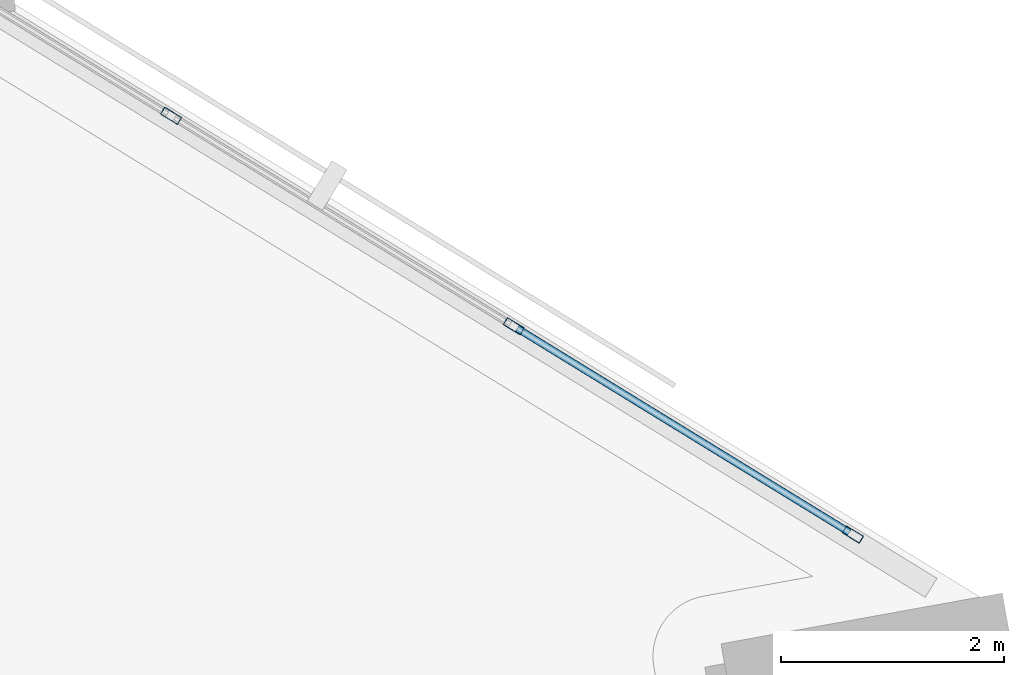
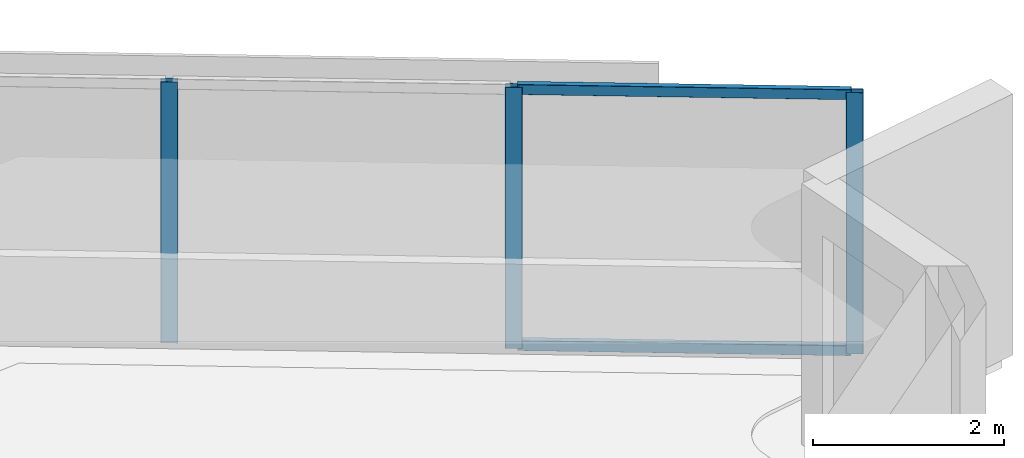
# One storey, part 4 of 18: 5 members, 1 element without a shape of its own.
"""IFC4 building model written with IfcOpenShell, lengths in metres."""

from ifc_helpers import new_model, si_unit, direction, frame, origin, origin_2d, place, context, subcontext, project, spatial, hollow_rectangle, extrude, material, material_profile, profile_set, type_object, element, aggregate, save


model = new_model("IFC4")

# Units and contexts
model_context = context("Model", 3, precision=1e-05, world=origin(), true_north=direction((0.0, 1.0)))
body_context = subcontext(model_context, "Body", "Model", "MODEL_VIEW")
ifc_project = project(units=[si_unit("LENGTHUNIT", "METRE"), si_unit("AREAUNIT", "SQUARE_METRE"), si_unit("VOLUMEUNIT", "CUBIC_METRE"), si_unit("PLANEANGLEUNIT", "RADIAN"), si_unit("MASSUNIT", "GRAM", prefix="KILO")], contexts=[model_context])

# Site, building, storey
site_placement = place(None, origin())
site = spatial("IfcSite", under=ifc_project, at=site_placement, CompositionType="ELEMENT")
building_placement = place(site_placement, origin())
building = spatial("IfcBuilding", under=site, at=building_placement, Name="Narakoshi Arena Tower", CompositionType="ELEMENT")
storey_placement = place(building_placement, frame((0.0, 0.0, 120.89990234375)))
storey = spatial("IfcBuildingStorey", under=building, at=storey_placement, Name="L32", CompositionType="ELEMENT", Elevation=120.89990234375)

# Curtain wall, members
ifc_material = material(Name="Anodised bronze aluminium 6063-T6", Category="aluminium")
curtain_wall_type = type_object("IfcCurtainWallType", Name="CW-HYP-LOW", PredefinedType="NOTDEFINED", material=ifc_material)
curtain_wall_placement = place(storey_placement, origin())
curtain_wall = element("IfcCurtainWall", 1, at=curtain_wall_placement, inside=storey, type_object=curtain_wall_type, Name="L32 Folded Hypotenuse Curtain Wall 1-1", PredefinedType="NOTDEFINED")
ifc_material_profile_1 = material_profile(ifc_material, hollow_rectangle(XDim=0.074951171875, YDim=0.179931640625, WallThickness=0.00390625, OuterFilletRadius=0.0048828125, at=origin_2d()), Name="MUL180x75x4")
ifc_profile_set_1 = profile_set([ifc_material_profile_1], Name="Anodised bronze aluminium 6063-T6")
member_type_1 = type_object("IfcMemberType", Name="MEM-MUL-180", PredefinedType="MULLION", material=ifc_profile_set_1)
member_1_placement = place(storey_placement, frame((119.16259765625, 43.548583984375, 0.0), z_axis=(0.0, 0.0, 1.0), x_axis=(-0.523357676535, -0.852113104237, 0.0)))
member_1 = element("IfcMember", 2, at=member_1_placement, type_object=member_type_1, Name="CW-01 mullion 1", PredefinedType="MULLION", context=body_context, shape_type="SweptSolid", body=[
    extrude(hollow_rectangle(XDim=0.074951171875, YDim=0.179931640625, WallThickness=0.00390625, OuterFilletRadius=0.0048828125, at=origin_2d()), origin(), (0.0, 0.0, 1.0), 3.340087890625),
])
member_2_placement = place(storey_placement, frame((116.11767578125, 45.418701171875, 0.0), z_axis=(0.0, 0.0, 1.0), x_axis=(-0.523357676535, -0.852113104237, 0.0)))
member_2 = element("IfcMember", 3, at=member_2_placement, type_object=member_type_1, Name="CW-01 mullion 2", PredefinedType="MULLION", context=body_context, shape_type="SweptSolid", body=[
    extrude(hollow_rectangle(XDim=0.074951171875, YDim=0.179931640625, WallThickness=0.00390625, OuterFilletRadius=0.0048828125, at=origin_2d()), origin(), (0.0, 0.0, 1.0), 3.340087890625),
])
member_3_placement = place(storey_placement, frame((113.040771484375, 47.30859375, 0.0), z_axis=(0.0, 0.0, 1.0), x_axis=(-0.523357676535, -0.852113104237, 0.0)))
member_3 = element("IfcMember", 4, at=member_3_placement, type_object=member_type_1, Name="CW-01 mullion 3", PredefinedType="MULLION", context=body_context, shape_type="SweptSolid", body=[
    extrude(hollow_rectangle(XDim=0.074951171875, YDim=0.179931640625, WallThickness=0.00390625, OuterFilletRadius=0.0048828125, at=origin_2d()), origin(), (0.0, 0.0, 1.0), 3.340087890625),
])
ifc_material_profile_2 = material_profile(ifc_material, hollow_rectangle(XDim=0.06494140625, YDim=0.1298828125, WallThickness=0.00390625, OuterFilletRadius=0.0048828125, at=origin_2d()), Name="TRN130x65x4")
ifc_profile_set_2 = profile_set([ifc_material_profile_2], Name="Anodised bronze aluminium 6063-T6")
member_type_2 = type_object("IfcMemberType", Name="MEM-TRN-130", PredefinedType="USERDEFINED", material=ifc_profile_set_2)
member_4_placement = place(storey_placement, frame((119.130615234375, 43.568359375, 0.03271484375), z_axis=(-0.852120447829, 0.52334571976, 0.0), x_axis=(-0.52334571976, -0.852120447829, 0.0)))
member_4 = element("IfcMember", 5, at=member_4_placement, type_object=member_type_2, Name="CW-01 transom 1.1", ObjectType="TRANSOM", PredefinedType="USERDEFINED", context=body_context, shape_type="SweptSolid", body=[
    extrude(hollow_rectangle(XDim=0.06494140625, YDim=0.1298828125, WallThickness=0.00390625, OuterFilletRadius=0.0048828125, at=origin_2d()), origin(), (0.0, 0.0, 1.0), 3.498291015625),
])
member_5_placement = place(storey_placement, frame((119.130615234375, 43.568359375, 3.3076171875), z_axis=(-0.852120447829, 0.52334571976, 0.0), x_axis=(-0.52334571976, -0.852120447829, 0.0)))
member_5 = element("IfcMember", 6, at=member_5_placement, type_object=member_type_2, Name="CW-01 transom 1.2", ObjectType="TRANSOM", PredefinedType="USERDEFINED", context=body_context, shape_type="SweptSolid", body=[
    extrude(hollow_rectangle(XDim=0.06494140625, YDim=0.1298828125, WallThickness=0.00390625, OuterFilletRadius=0.0048828125, at=origin_2d()), origin(), (0.0, 0.0, 1.0), 3.498291015625),
])
aggregate(curtain_wall, [member_1, member_2, member_3, member_4, member_5])

save(model, "model.ifc")
